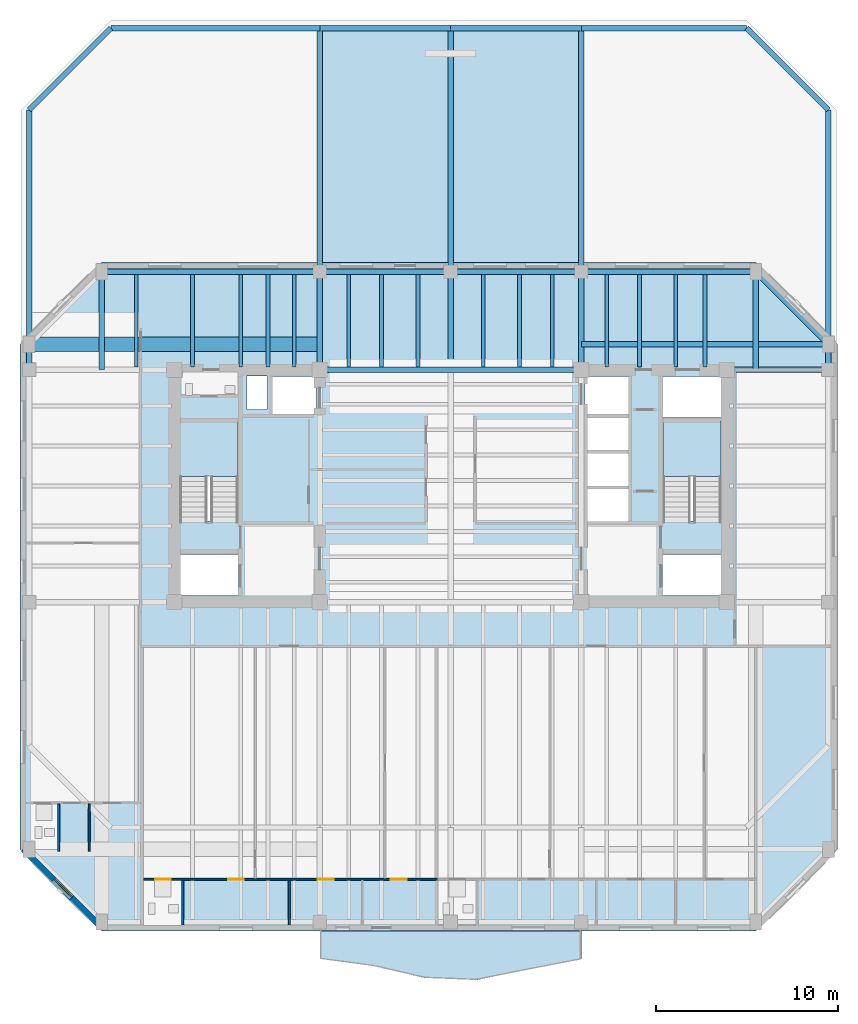
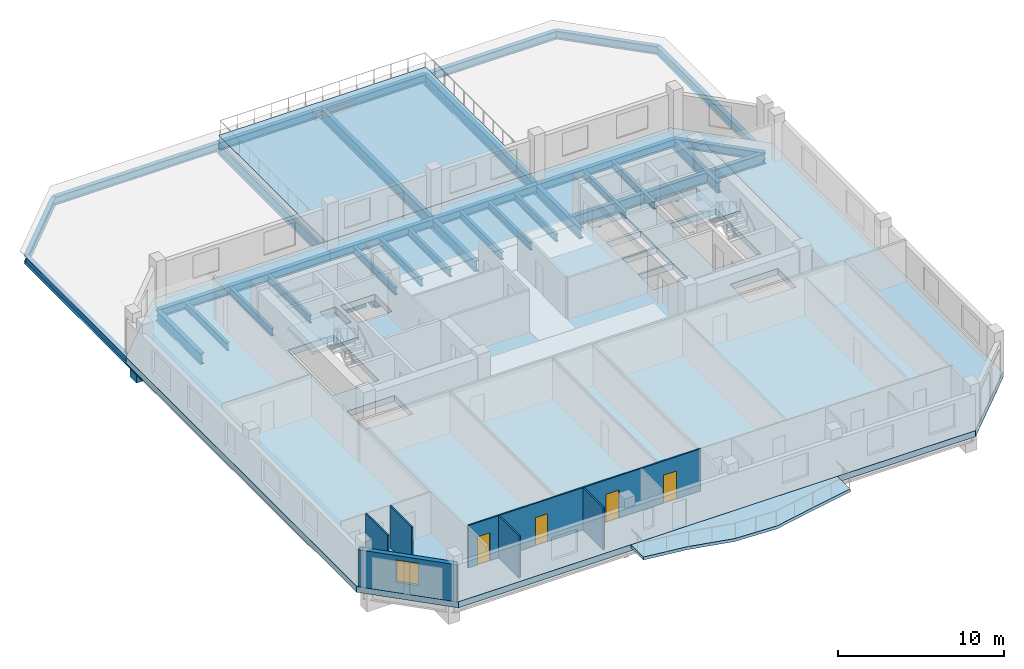
# One storey, part 2 of 11: 37 beams, 6 walls, 5 slabs, 4 doors, 1 window, 5 openings, 2 elements without a shape of their own.
"""IFC4 building model written with IfcOpenShell, lengths in metres."""

from ifc_helpers import new_model, si_unit, direction, frame, frame_2d, origin, origin_2d, place, context, subcontext, project, spatial, polyline, rectangle, i_section, outline, extrude, material, layer, layer_set, material_profile, profile_set, type_object, element, fill, aggregate, save


model = new_model("IFC4")

# Units and contexts
model_context = context("Model", 3, precision=1e-05, world=origin(), true_north=direction((0.0, 1.0)))
body_context = subcontext(model_context, "Body", "Model", "MODEL_VIEW")
ifc_project = project(units=[si_unit("LENGTHUNIT", "METRE"), si_unit("AREAUNIT", "SQUARE_METRE"), si_unit("VOLUMEUNIT", "CUBIC_METRE"), si_unit("PLANEANGLEUNIT", "RADIAN"), si_unit("MASSUNIT", "GRAM", prefix="KILO")], contexts=[model_context])

# Site, building, storey
site_placement = place(None, origin())
site = spatial("IfcSite", under=ifc_project, at=site_placement, CompositionType="ELEMENT")
building_placement = place(site_placement, origin())
building = spatial("IfcBuilding", under=site, at=building_placement, Name="Kranthara Brick Stack", CompositionType="ELEMENT")
storey_placement = place(building_placement, frame((0.0, 0.0, 207.5)))
storey = spatial("IfcBuildingStorey", under=building, at=storey_placement, Name="L53", CompositionType="ELEMENT", Elevation=207.5)

# Beams
ifc_material_1 = material(Name="Steel S355", Category="steel")
ifc_material_profile_1 = material_profile(ifc_material_1, i_section(OverallWidth=0.2099609375, OverallDepth=0.550048828125, WebThickness=0.010986328125, FlangeThickness=0.01708984375, at=origin_2d()), Name="IPE 550")
ifc_profile_set_1 = profile_set([ifc_material_profile_1], Name="Steel S355")
beam_type_1 = type_object("IfcBeamType", Name="BM-JST-IPE550", PredefinedType="JOIST", material=ifc_profile_set_1)
for number, where, z_axis, x_axis, name in (
    (1, (10.699951171875, 33.75, -0.72509765625), (0.0, 1.0, 0.0), (-1.0, 0.0, 0.0), "L53 North Wing Floor Joist 076"),
    (2, (13.800048828125, 33.75, -0.72509765625), (0.0, 1.0, 0.0), (-1.0, 0.0, 0.0), "L53 North Wing Floor Joist 078"),
    (3, (16.449951171875, 33.75, -0.72509765625), (0.0, 1.0, 0.0), (-1.0, 0.0, 0.0), "L53 North Wing Floor Joist 080"),
    (4, (17.949951171875, 33.75, -0.72509765625), (0.0, 1.0, 0.0), (-1.0, 0.0, 0.0), "L53 North Wing Floor Joist 082"),
    (5, (19.39990234375, 33.75, -0.72509765625), (0.0, 1.0, 0.0), (-1.0, 0.0, 0.0), "L53 North Wing Floor Joist 084"),
    (6, (22.39990234375, 33.75, -0.72509765625), (0.0, 1.0, 0.0), (-1.0, 0.0, 0.0), "L53 North Wing Floor Joist 086"),
    (7, (24.199951171875, 33.75, -0.72509765625), (0.0, 1.0, 0.0), (-1.0, 0.0, 0.0), "L53 North Wing Floor Joist 088"),
    (8, (26.199951171875, 33.75, -0.72509765625), (0.0, 1.0, 0.0), (-1.0, 0.0, 0.0), "L53 North Wing Floor Joist 090"),
    (9, (29.800048828125, 33.75, -0.72509765625), (0.0, 1.0, 0.0), (-1.0, 0.0, 0.0), "L53 North Wing Floor Joist 092"),
    (10, (31.800048828125, 33.75, -0.72509765625), (0.0, 1.0, 0.0), (-1.0, 0.0, 0.0), "L53 North Wing Floor Joist 094"),
    (11, (33.60009765625, 33.75, -0.72509765625), (0.0, 1.0, 0.0), (-1.0, 0.0, 0.0), "L53 North Wing Floor Joist 096"),
    (12, (36.60009765625, 33.75, -0.72509765625), (0.0, 1.0, 0.0), (-1.0, 0.0, 0.0), "L53 North Wing Floor Joist 098"),
    (13, (38.39990234375, 33.75, -0.72509765625), (0.0, 1.0, 0.0), (-1.0, 0.0, 0.0), "L53 North Wing Floor Joist 100"),
    (14, (40.39990234375, 33.75, -0.72509765625), (0.0, 1.0, 0.0), (-1.0, 0.0, 0.0), "L53 North Wing Floor Joist 102"),
    (15, (42.0, 33.75, -0.72509765625), (0.0, 1.0, 0.0), (-1.0, 0.0, 0.0), "L53 North Wing Floor Joist 104"),
):
    element("IfcBeam", number, at=place(storey_placement, frame(where, z_axis=z_axis, x_axis=x_axis)), inside=storey, type_object=beam_type_1, Name=name, PredefinedType="JOIST", context=body_context, shape_type="SweptSolid", body=[
        extrude(i_section(OverallWidth=0.2099609375, OverallDepth=0.550048828125, WebThickness=0.010986328125, FlangeThickness=0.01708984375, at=origin_2d()), origin(), (0.0, 0.0, 1.0), 5.10009765625),
    ])
ifc_material_2 = material(Name="Steel S355", Category="steel")
ifc_material_profile_2 = material_profile(ifc_material_2, i_section(OverallWidth=0.300048828125, OverallDepth=0.60009765625, WebThickness=0.015380859375, FlangeThickness=0.030029296875, at=origin_2d()), Name="HEB 600")
ifc_profile_set_2 = profile_set([ifc_material_profile_2], Name="Steel S355")
beam_type_2 = type_object("IfcBeamType", Name="BM-STL-HEB600", PredefinedType="BEAM", material=ifc_profile_set_2)
beam_1_placement = place(storey_placement, frame((9.300048828125, 52.39990234375, -0.75), z_axis=(1.0, 0.0, 0.0), x_axis=(0.0, 1.0, 0.0)))
element("IfcBeam", 16, at=beam_1_placement, inside=storey, type_object=beam_type_2, Name="L53 Perimeter Spandrel Beam 009", PredefinedType="BEAM", context=body_context, shape_type="SweptSolid", body=[
    extrude(i_section(OverallWidth=0.300048828125, OverallDepth=0.60009765625, WebThickness=0.015380859375, FlangeThickness=0.030029296875, at=origin_2d()), origin(), (0.0, 0.0, 1.0), 11.5),
])
for number, where, z_axis, x_axis, name in (
    (17, (20.800048828125, 52.39990234375, -0.75), (1.0, 0.0, 0.0), (0.0, 1.0, 0.0), "L53 Perimeter Spandrel Beam 010"),
    (18, (28.0, 52.39990234375, -0.75), (1.0, 0.0, 0.0), (0.0, 1.0, 0.0), "L53 Perimeter Spandrel Beam 011"),
):
    element("IfcBeam", number, at=place(storey_placement, frame(where, z_axis=z_axis, x_axis=x_axis)), inside=storey, type_object=beam_type_2, Name=name, PredefinedType="BEAM", context=body_context, shape_type="SweptSolid", body=[
        extrude(i_section(OverallWidth=0.300048828125, OverallDepth=0.60009765625, WebThickness=0.015380859375, FlangeThickness=0.030029296875, at=origin_2d()), origin(), (0.0, 0.0, 1.0), 7.199951171875),
    ])
beam_2_placement = place(storey_placement, frame((35.199951171875, 52.39990234375, -0.75), z_axis=(1.0, 0.0, 0.0), x_axis=(0.0, 1.0, 0.0)))
element("IfcBeam", 19, at=beam_2_placement, inside=storey, type_object=beam_type_2, Name="L53 Perimeter Spandrel Beam 012", PredefinedType="BEAM", context=body_context, shape_type="SweptSolid", body=[
    extrude(i_section(OverallWidth=0.300048828125, OverallDepth=0.60009765625, WebThickness=0.015380859375, FlangeThickness=0.030029296875, at=origin_2d()), origin(), (0.0, 0.0, 1.0), 9.10009765625),
])
for number, where, z_axis, x_axis, name in (
    (20, (4.800048828125, 33.60009765625, -0.75), (0.0, 1.0, 0.0), (-1.0, 0.0, 0.0), "L53 Perimeter Spandrel Beam 015"),
    (21, (48.800048828125, 33.60009765625, -0.75), (0.0, 1.0, 0.0), (-1.0, 0.0, 0.0), "L53 Perimeter Spandrel Beam 018"),
):
    element("IfcBeam", number, at=place(storey_placement, frame(where, z_axis=z_axis, x_axis=x_axis)), inside=storey, type_object=beam_type_2, Name=name, PredefinedType="BEAM", context=body_context, shape_type="SweptSolid", body=[
        extrude(i_section(OverallWidth=0.300048828125, OverallDepth=0.60009765625, WebThickness=0.015380859375, FlangeThickness=0.030029296875, at=origin_2d()), origin(), (0.0, 0.0, 1.0), 14.2998046875),
    ])
for number, where, z_axis, x_axis, name in (
    (22, (9.300048828125, 52.39990234375, -0.75), (-0.707106781187, -0.707106781187, 0.0), (0.707106781187, -0.707106781187, 0.0), "L53 Chamfer Corner Spandrel 021"),
    (23, (44.300048828125, 52.39990234375, -0.75), (0.707106781187, -0.707106781187, 0.0), (0.707106781187, 0.707106781187, 0.0), "L53 Chamfer Corner Spandrel 022"),
):
    element("IfcBeam", number, at=place(storey_placement, frame(where, z_axis=z_axis, x_axis=x_axis)), inside=storey, type_object=beam_type_2, Name=name, PredefinedType="BEAM", context=body_context, shape_type="SweptSolid", body=[
        extrude(i_section(OverallWidth=0.300048828125, OverallDepth=0.60009765625, WebThickness=0.015380859375, FlangeThickness=0.030029296875, at=origin_2d()), origin(), (0.0, 0.0, 1.0), 6.364013671875),
    ])
beam_3_placement = place(storey_placement, frame((8.800048828125, 39.0, -0.75), z_axis=(1.0, 0.0, 0.0), x_axis=(0.0, 1.0, 0.0)))
element("IfcBeam", 24, at=beam_3_placement, inside=storey, type_object=beam_type_2, Name="L53 Perimeter Spandrel Beam 027", PredefinedType="BEAM", context=body_context, shape_type="SweptSolid", body=[
    extrude(i_section(OverallWidth=0.300048828125, OverallDepth=0.60009765625, WebThickness=0.015380859375, FlangeThickness=0.030029296875, at=origin_2d()), origin(), (0.0, 0.0, 1.0), 12.0),
])
for number, where, z_axis, x_axis, name in (
    (25, (20.800048828125, 39.0, -0.75), (1.0, 0.0, 0.0), (0.0, 1.0, 0.0), "L53 Perimeter Spandrel Beam 028"),
    (26, (28.0, 39.0, -0.75), (1.0, 0.0, 0.0), (0.0, 1.0, 0.0), "L53 Perimeter Spandrel Beam 029"),
):
    element("IfcBeam", number, at=place(storey_placement, frame(where, z_axis=z_axis, x_axis=x_axis)), inside=storey, type_object=beam_type_2, Name=name, PredefinedType="BEAM", context=body_context, shape_type="SweptSolid", body=[
        extrude(i_section(OverallWidth=0.300048828125, OverallDepth=0.60009765625, WebThickness=0.015380859375, FlangeThickness=0.030029296875, at=origin_2d()), origin(), (0.0, 0.0, 1.0), 7.199951171875),
    ])
beam_4_placement = place(storey_placement, frame((35.199951171875, 39.0, -0.75), z_axis=(1.0, 0.0, 0.0), x_axis=(0.0, 1.0, 0.0)))
element("IfcBeam", 27, at=beam_4_placement, inside=storey, type_object=beam_type_2, Name="L53 Perimeter Spandrel Beam 030", PredefinedType="BEAM", context=body_context, shape_type="SweptSolid", body=[
    extrude(i_section(OverallWidth=0.300048828125, OverallDepth=0.60009765625, WebThickness=0.015380859375, FlangeThickness=0.030029296875, at=origin_2d()), origin(), (0.0, 0.0, 1.0), 9.60009765625),
])
beam_5_placement = place(storey_placement, frame((44.800048828125, 39.0, -0.75), z_axis=(0.707106781187, -0.707106781187, 0.0), x_axis=(0.707106781187, 0.707106781187, 0.0)))
element("IfcBeam", 28, at=beam_5_placement, inside=storey, type_object=beam_type_2, Name="L53 Chamfer Corner Spandrel 034", PredefinedType="BEAM", context=body_context, shape_type="SweptSolid", body=[
    extrude(i_section(OverallWidth=0.300048828125, OverallDepth=0.60009765625, WebThickness=0.015380859375, FlangeThickness=0.030029296875, at=origin_2d()), origin(), (0.0, 0.0, 1.0), 5.65673828125),
])
ifc_material_3 = material(Name="Steel S355", Category="steel")
ifc_material_profile_3 = material_profile(ifc_material_3, i_section(OverallWidth=0.300048828125, OverallDepth=0.800048828125, WebThickness=0.017578125, FlangeThickness=0.032958984375, at=origin_2d()), Name="HEB 800")
ifc_profile_set_3 = profile_set([ifc_material_profile_3], Name="Steel S355")
beam_type_3 = type_object("IfcBeamType", Name="BM-TR-HEB800", PredefinedType="BEAM", material=ifc_profile_set_3)
beam_6_placement = place(storey_placement, frame((20.800048828125, 33.60009765625, -0.85009765625), z_axis=(1.0, 0.0, 0.0), x_axis=(0.0, 1.0, 0.0)))
element("IfcBeam", 29, at=beam_6_placement, inside=storey, type_object=beam_type_3, Name="L53 Core Coupling Beam 002", PredefinedType="BEAM", context=body_context, shape_type="SweptSolid", body=[
    extrude(i_section(OverallWidth=0.300048828125, OverallDepth=0.800048828125, WebThickness=0.017578125, FlangeThickness=0.032958984375, at=origin_2d()), origin(), (0.0, 0.0, 1.0), 14.39990234375),
])
beam_7_placement = place(storey_placement, frame((20.800048828125, 33.60009765625, -0.85009765625), z_axis=(0.0, 1.0, 0.0), x_axis=(-1.0, 0.0, 0.0)))
element("IfcBeam", 30, at=beam_7_placement, inside=storey, type_object=beam_type_3, Name="L53 Primary Grid Girder 037", PredefinedType="BEAM", context=body_context, shape_type="SweptSolid", body=[
    extrude(i_section(OverallWidth=0.300048828125, OverallDepth=0.800048828125, WebThickness=0.017578125, FlangeThickness=0.032958984375, at=origin_2d()), origin(), (0.0, 0.0, 1.0), 18.7998046875),
])
beam_8_placement = place(storey_placement, frame((28.0, 33.75, -0.85009765625), z_axis=(0.0, 1.0, 0.0), x_axis=(-1.0, 0.0, 0.0)))
element("IfcBeam", 31, at=beam_8_placement, inside=storey, type_object=beam_type_3, Name="L53 Primary Grid Girder 041", PredefinedType="BEAM", context=body_context, shape_type="SweptSolid", body=[
    extrude(i_section(OverallWidth=0.300048828125, OverallDepth=0.800048828125, WebThickness=0.017578125, FlangeThickness=0.032958984375, at=origin_2d()), origin(), (0.0, 0.0, 1.0), 18.64990234375),
])
beam_9_placement = place(storey_placement, frame((35.199951171875, 33.60009765625, -0.85009765625), z_axis=(0.0, 1.0, 0.0), x_axis=(-1.0, 0.0, 0.0)))
element("IfcBeam", 32, at=beam_9_placement, inside=storey, type_object=beam_type_3, Name="L53 Primary Grid Girder 044", PredefinedType="BEAM", context=body_context, shape_type="SweptSolid", body=[
    extrude(i_section(OverallWidth=0.300048828125, OverallDepth=0.800048828125, WebThickness=0.017578125, FlangeThickness=0.032958984375, at=origin_2d()), origin(), (0.0, 0.0, 1.0), 18.7998046875),
])
beam_10_placement = place(storey_placement, frame((43.199951171875, 33.60009765625, -0.85009765625), z_axis=(1.0, 0.0, 0.0), x_axis=(0.0, 1.0, 0.0)))
element("IfcBeam", 33, at=beam_10_placement, inside=storey, type_object=beam_type_3, Name="L53 Primary Grid Girder 048", PredefinedType="BEAM", context=body_context, shape_type="SweptSolid", body=[
    extrude(i_section(OverallWidth=0.300048828125, OverallDepth=0.800048828125, WebThickness=0.017578125, FlangeThickness=0.032958984375, at=origin_2d()), origin(), (0.0, 0.0, 1.0), 5.60009765625),
])
for number, where, z_axis, x_axis, name in (
    (34, (8.800048828125, 39.0, -0.85009765625), (0.0, -1.0, 0.0), (1.0, 0.0, 0.0), "L53 Transfer Tie Girder 050"),
    (35, (44.800048828125, 39.0, -0.85009765625), (0.0, -1.0, 0.0), (1.0, 0.0, 0.0), "L53 Transfer Tie Girder 052"),
):
    element("IfcBeam", number, at=place(storey_placement, frame(where, z_axis=z_axis, x_axis=x_axis)), inside=storey, type_object=beam_type_3, Name=name, PredefinedType="BEAM", context=body_context, shape_type="SweptSolid", body=[
        extrude(i_section(OverallWidth=0.300048828125, OverallDepth=0.800048828125, WebThickness=0.017578125, FlangeThickness=0.032958984375, at=origin_2d()), origin(), (0.0, 0.0, 1.0), 5.39990234375),
    ])
beam_11_placement = place(storey_placement, frame((48.800048828125, 35.0, -0.85009765625), z_axis=(-1.0, 0.0, 0.0), x_axis=(0.0, -1.0, 0.0)))
element("IfcBeam", 36, at=beam_11_placement, inside=storey, type_object=beam_type_3, Name="L53 Transfer Tie Girder 056", PredefinedType="BEAM", context=body_context, shape_type="SweptSolid", body=[
    extrude(i_section(OverallWidth=0.300048828125, OverallDepth=0.800048828125, WebThickness=0.017578125, FlangeThickness=0.032958984375, at=origin_2d()), origin(), (0.0, 0.0, 1.0), 13.60009765625),
])
ifc_material_4 = material(Name="Post-tensioned concrete C50/60", Category="concrete")
ifc_material_profile_4 = material_profile(ifc_material_4, rectangle(XDim=0.800048828125, YDim=1.39990234375, at=origin_2d()), Name="PT 800x1400")
ifc_profile_set_4 = profile_set([ifc_material_profile_4], Name="Post-tensioned concrete C50/60")
beam_type_4 = type_object("IfcBeamType", Name="BM-TR-PT1400", PredefinedType="T_BEAM", material=ifc_profile_set_4)
beam_12_placement = place(storey_placement, frame((4.800048828125, 35.0, -1.14990234375), z_axis=(1.0, 0.0, 0.0), x_axis=(0.0, 1.0, 0.0)))
element("IfcBeam", 37, at=beam_12_placement, inside=storey, type_object=beam_type_4, Name="L53 Transfer Tie Girder 055", PredefinedType="T_BEAM", context=body_context, shape_type="SweptSolid", body=[
    extrude(rectangle(XDim=0.800048828125, YDim=1.39990234375, at=origin_2d()), origin(), (0.0, 0.0, 1.0), 16.0),
])

# Slab
ifc_material_5 = material(Name="Concrete C45/55", Category="concrete")
ifc_layer_1 = layer(ifc_material_5, 0.219970703125)
ifc_layer_set_1 = layer_set([ifc_layer_1], Name="Concrete C45/55")
slab_type_1 = type_object("IfcSlabType", Name="SLB-BALC-220", PredefinedType="FLOOR", material=ifc_layer_set_1)
slab_1_placement = place(storey_placement, frame((0.0, 0.0, -0.219970703125)))
element("IfcSlab", 38, at=slab_1_placement, inside=storey, type_object=slab_type_1, Name="L53 South Rippling Balcony Slab", PredefinedType="FLOOR", context=body_context, shape_type="SweptSolid", body=[
    extrude(outline(polyline([(20.800048828125, 2.699951171875), (35.199951171875, 2.699951171875), (35.199951171875, 1.166015625), (32.320068359375, 0.60595703125), (29.43994140625, 0.0068359375), (26.56005859375, 0.122314453125), (23.679931640625, 0.806884765625), (20.800048828125, 1.199951171875), (20.800048828125, 2.699951171875)])), origin(), (0.0, 0.0, 1.0), 0.219970703125),
])

# Stair, slab
ifc_material_6 = material(Name="Concrete C45/55", Category="concrete")
stair_type = type_object("IfcStairType", Name="ST-CORE-20R", PredefinedType="HALF_TURN_STAIR", material=ifc_material_6)
stair_1_placement = place(storey_placement, origin())
stair_1 = element("IfcStair", 39, at=stair_1_placement, inside=storey, type_object=stair_type, Name="L53 West Core Protected Exit Stair ST01", PredefinedType="HALF_TURN_STAIR")
ifc_material_7 = material(Name="Concrete C45/55", Category="concrete")
ifc_layer_2 = layer(ifc_material_7, 0.199951171875)
ifc_layer_set_2 = layer_set([ifc_layer_2], Name="Concrete C45/55")
slab_type_2 = type_object("IfcSlabType", Name="SLB-LANDING-200", PredefinedType="LANDING", material=ifc_layer_set_2)
slab_2_placement = place(storey_placement, frame((0.0, 0.0, 1.5)))
slab_2 = element("IfcSlab", 40, at=slab_2_placement, type_object=slab_type_2, Name="ST01 landing 1", PredefinedType="LANDING", context=body_context, shape_type="SweptSolid", body=[
    extrude(outline(polyline([(16.300048828125, 27.719970703125), (16.300048828125, 30.75), (13.10009765625, 30.75), (13.10009765625, 27.719970703125), (16.300048828125, 27.719970703125)])), origin(), (0.0, 0.0, 1.0), 0.199951171875),
])
aggregate(stair_1, [slab_2])

stair_2_placement = place(storey_placement, origin())
stair_2 = element("IfcStair", 41, at=stair_2_placement, inside=storey, type_object=stair_type, Name="L53 East Core Protected Exit Stair ST02", PredefinedType="HALF_TURN_STAIR")
slab_3_placement = place(storey_placement, frame((0.0, 0.0, 1.5)))
slab_3 = element("IfcSlab", 42, at=slab_3_placement, type_object=slab_type_2, Name="ST02 landing 1", PredefinedType="LANDING", context=body_context, shape_type="SweptSolid", body=[
    extrude(outline(polyline([(42.89990234375, 27.719970703125), (42.89990234375, 30.75), (39.699951171875, 30.75), (39.699951171875, 27.719970703125), (42.89990234375, 27.719970703125)])), origin(), (0.0, 0.0, 1.0), 0.199951171875),
])
aggregate(stair_2, [slab_3])

# Slabs
ifc_material_8 = material(Name="Concrete C45/55", Category="concrete")
ifc_layer_3 = layer(ifc_material_8, 0.449951171875)
ifc_layer_set_3 = layer_set([ifc_layer_3], Name="Concrete C45/55")
slab_type_3 = type_object("IfcSlabType", Name="SLB-TERR-450", PredefinedType="ROOF", material=ifc_layer_set_3)
slab_4_placement = place(storey_placement, frame((0.0, 0.0, -0.449951171875)))
element("IfcSlab", 43, at=slab_4_placement, inside=storey, type_object=slab_type_3, Name="L53 North Planted Sky Garden", PredefinedType="ROOF", context=body_context, shape_type="SweptSolid", body=[
    extrude(outline(polyline([(20.800048828125, 39.5), (35.199951171875, 39.5), (35.199951171875, 52.39990234375), (20.800048828125, 52.39990234375), (20.800048828125, 39.5)])), origin(), (0.0, 0.0, 1.0), 0.449951171875),
])
ifc_material_9 = material(Name="Post-tensioned concrete C50/60", Category="concrete")
ifc_layer_4 = layer(ifc_material_9, 0.449951171875)
ifc_layer_set_4 = layer_set([ifc_layer_4], Name="Post-tensioned concrete C50/60")
slab_type_4 = type_object("IfcSlabType", Name="SLB-TRANS-450", PredefinedType="FLOOR", material=ifc_layer_set_4)
slab_5_placement = place(storey_placement, frame((0.0, 0.0, -0.449951171875)))
element("IfcSlab", 44, at=slab_5_placement, inside=storey, type_object=slab_type_4, Name="L53 Structural Floor Plate", PredefinedType="FLOOR", context=body_context, shape_type="SweptSolid", body=[
    extrude(outline(polyline([(8.800048828125, 2.699951171875), (44.800048828125, 2.699951171875), (49.300048828125, 7.199951171875), (49.300048828125, 35.0), (44.800048828125, 39.5), (8.800048828125, 39.5), (4.300048828125, 35.0), (4.300048828125, 7.199951171875), (8.800048828125, 2.699951171875)]), holes=[polyline([(13.10009765625, 25.280029296875), (16.300048828125, 25.280029296875), (16.300048828125, 30.75), (13.10009765625, 30.75), (13.10009765625, 25.280029296875)]), polyline([(39.699951171875, 25.280029296875), (42.89990234375, 25.280029296875), (42.89990234375, 30.75), (39.699951171875, 30.75), (39.699951171875, 25.280029296875)]), polyline([(13.0, 21.179931640625), (16.320068359375, 21.179931640625), (16.320068359375, 23.419921875), (13.0, 23.419921875), (13.0, 21.179931640625)]), polyline([(39.679931640625, 21.179931640625), (43.0, 21.179931640625), (43.0, 23.419921875), (39.679931640625, 23.419921875), (39.679931640625, 21.179931640625)]), polyline([(39.679931640625, 30.97998046875), (43.0, 30.97998046875), (43.0, 33.219970703125), (39.679931640625, 33.219970703125), (39.679931640625, 30.97998046875)]), polyline([(35.39990234375, 25.25), (37.800048828125, 25.25), (37.800048828125, 27.050048828125), (35.39990234375, 27.050048828125), (35.39990234375, 25.25)]), polyline([(35.39990234375, 27.199951171875), (37.800048828125, 27.199951171875), (37.800048828125, 29.0), (35.39990234375, 29.0), (35.39990234375, 27.199951171875)]), polyline([(35.39990234375, 29.14990234375), (37.800048828125, 29.14990234375), (37.800048828125, 30.949951171875), (35.39990234375, 30.949951171875), (35.39990234375, 29.14990234375)]), polyline([(18.199951171875, 31.14990234375), (20.60009765625, 31.14990234375), (20.60009765625, 33.219970703125), (18.199951171875, 33.219970703125), (18.199951171875, 31.14990234375)]), polyline([(35.39990234375, 31.14990234375), (37.800048828125, 31.14990234375), (37.800048828125, 33.219970703125), (35.39990234375, 33.219970703125), (35.39990234375, 31.14990234375)]), polyline([(16.800048828125, 31.39990234375), (17.89990234375, 31.39990234375), (17.89990234375, 33.25), (16.800048828125, 33.25), (16.800048828125, 31.39990234375)])]), origin(), (0.0, 0.0, 1.0), 0.449951171875),
])

# Wall, opening, window
ifc_material_10 = material(Name="Warm buff clay brick masonry M15", Category="masonry")
ifc_layer_5 = layer(ifc_material_10, 0.320068359375)
ifc_layer_set_5 = layer_set([ifc_layer_5], Name="Warm buff clay brick masonry M15")
wall_type_1 = type_object("IfcWallType", Name="WL-BRK-UPPR-320", PredefinedType="STANDARD", material=ifc_layer_set_5)
wall_1_placement = place(storey_placement, frame((8.800048828125, 2.8798828125, 0.0), z_axis=(0.0, 0.0, 1.0), x_axis=(-0.707106781187, 0.707106781187, 0.0)))
wall_1 = element("IfcWall", 45, at=wall_1_placement, inside=storey, type_object=wall_type_1, Name="L53 Exterior Brick Facade Wall SW 1", PredefinedType="STANDARD", context=body_context, shape_type="SweptSolid", body=[
    extrude(rectangle(XDim=6.109619140625, YDim=0.320068359375, at=frame_2d((3.0546875, 0.0))), origin(), (0.0, 0.0, 1.0), 2.72509765625),
])
opening_1_placement = place(wall_1_placement, frame((2.35498046875, 0.0, 0.75)))
opening_1 = element("IfcOpeningElement", 46, at=opening_1_placement, cuts=wall_1, Name="Opening WN10", PredefinedType="OPENING", context=body_context, shape_type="SweptSolid", body=[
    extrude(rectangle(XDim=1.39990234375, YDim=1.64990234375, at=frame_2d((0.699951171875, 0.824951171875))), frame((0.0, 0.169921875, 0.0), z_axis=(0.0, -1.0, 0.0), x_axis=(1.0, 0.0, 0.0)), (0.0, 0.0, 1.0), 0.340087890625),
])
ifc_material_11 = material(Name="Double-glazed low-E solar control glass", Category="glass")
window_type = type_object("IfcWindowType", Name="WN-CHM-1400x1750", PartitioningType="SINGLE_PANEL", PredefinedType="WINDOW", material=ifc_material_11)
window_placement = place(opening_1_placement, origin())
window = element("IfcWindow", 47, at=window_placement, inside=storey, type_object=window_type, Name="L53 SW Chamfer Corner Window", OverallHeight=1.64990234375, OverallWidth=1.39990234375, PartitioningType="SINGLE_PANEL", PredefinedType="WINDOW", context=body_context, shape_type="SweptSolid", body=[
    extrude(rectangle(XDim=1.39990234375, YDim=1.64990234375, at=frame_2d((0.699951171875, 0.824951171875))), frame((0.0, -0.010009765625, 0.0), z_axis=(0.0, -1.0, 0.0), x_axis=(1.0, 0.0, 0.0)), (0.0, 0.0, 1.0), 0.06005859375),
])
fill(opening_1, window)

# Wall, openings, doors
ifc_material_12 = material(Name="Moisture-resistant wet-room partition", Category="other")
ifc_layer_6 = layer(ifc_material_12, 0.10009765625)
ifc_layer_set_6 = layer_set([ifc_layer_6], Name="Moisture-resistant wet-room partition")
wall_type_2 = type_object("IfcWallType", Name="WL-PART-100", PredefinedType="PARTITIONING", material=ifc_layer_set_6)
wall_2_placement = place(storey_placement, frame((11.10009765625, 5.550048828125, 0.0), z_axis=(0.0, 0.0, 1.0), x_axis=(1.0, 0.0, 0.0)))
wall_2 = element("IfcWall", 48, at=wall_2_placement, inside=storey, type_object=wall_type_2, Name="L53 Interior Partition 012", PredefinedType="PARTITIONING", context=body_context, shape_type="SweptSolid", body=[
    extrude(rectangle(XDim=16.173828125, YDim=0.10009765625, at=frame_2d((8.0869140625, 0.0))), origin(), (0.0, 0.0, 1.0), 3.10009765625),
])
opening_2_placement = place(wall_2_placement, frame((0.64990234375, 0.0, 0.0)))
opening_2 = element("IfcOpeningElement", 49, at=opening_2_placement, cuts=wall_2, Name="Opening D17", PredefinedType="OPENING", context=body_context, shape_type="SweptSolid", body=[
    extrude(rectangle(XDim=0.85009765625, YDim=2.050048828125, at=frame_2d((0.425048828125, 1.02490234375))), frame((0.0, 0.06005859375, 0.0), z_axis=(0.0, -1.0, 0.0), x_axis=(1.0, 0.0, 0.0)), (0.0, 0.0, 1.0), 0.1201171875),
])
opening_3_placement = place(wall_2_placement, frame((4.6640625, 0.0, 0.0)))
opening_3 = element("IfcOpeningElement", 50, at=opening_3_placement, cuts=wall_2, Name="Opening D16", PredefinedType="OPENING", context=body_context, shape_type="SweptSolid", body=[
    extrude(rectangle(XDim=0.85009765625, YDim=2.050048828125, at=frame_2d((0.425048828125, 1.02490234375))), frame((0.0, 0.06005859375, 0.0), z_axis=(0.0, -1.0, 0.0), x_axis=(1.0, 0.0, 0.0)), (0.0, 0.0, 1.0), 0.1201171875),
])
opening_4_placement = place(wall_2_placement, frame((9.583984375, 0.0, 0.0)))
opening_4 = element("IfcOpeningElement", 51, at=opening_4_placement, cuts=wall_2, Name="Opening D15", PredefinedType="OPENING", context=body_context, shape_type="SweptSolid", body=[
    extrude(rectangle(XDim=0.89990234375, YDim=2.050048828125, at=frame_2d((0.449951171875, 1.02490234375))), frame((0.0, 0.06005859375, 0.0), z_axis=(0.0, -1.0, 0.0), x_axis=(1.0, 0.0, 0.0)), (0.0, 0.0, 1.0), 0.1201171875),
])
opening_5_placement = place(wall_2_placement, frame((13.597900390625, 0.0, 0.0)))
opening_5 = element("IfcOpeningElement", 52, at=opening_5_placement, cuts=wall_2, Name="Opening D15", PredefinedType="OPENING", context=body_context, shape_type="SweptSolid", body=[
    extrude(rectangle(XDim=0.89990234375, YDim=2.050048828125, at=frame_2d((0.449951171875, 1.02490234375))), frame((0.0, 0.06005859375, 0.0), z_axis=(0.0, -1.0, 0.0), x_axis=(1.0, 0.0, 0.0)), (0.0, 0.0, 1.0), 0.1201171875),
])
ifc_material_13 = material(Name="Solid-core hardwood timber leaf in steel frame", Category="steel")
door_type_1 = type_object("IfcDoorType", Name="DR-INT-850", OperationType="NOTDEFINED", PredefinedType="DOOR", material=ifc_material_13)
door_1_placement = place(opening_3_placement, origin())
door_1 = element("IfcDoor", 53, at=door_1_placement, inside=storey, type_object=door_type_1, Name="L53 Unit L53A Kitchen 12", OperationType="SINGLE_SWING_RIGHT", OverallHeight=2.050048828125, OverallWidth=0.85009765625, PredefinedType="DOOR", context=body_context, shape_type="SweptSolid", body=[
    extrude(rectangle(XDim=0.85009765625, YDim=2.050048828125, at=frame_2d((0.425048828125, 1.02490234375))), frame((0.0, 0.02490234375, 0.0), z_axis=(0.0, -1.0, 0.0), x_axis=(1.0, 0.0, 0.0)), (0.0, 0.0, 1.0), 0.050048828125),
])
fill(opening_3, door_1)
ifc_material_14 = material(Name="Solid-core hardwood timber leaf in steel frame", Category="steel")
door_type_2 = type_object("IfcDoorType", Name="DR-INT-900", OperationType="NOTDEFINED", PredefinedType="DOOR", material=ifc_material_14)
door_2_placement = place(opening_4_placement, origin())
door_2 = element("IfcDoor", 54, at=door_2_placement, inside=storey, type_object=door_type_2, Name="L53 Unit L53A Master Bedroom 13", OperationType="SINGLE_SWING_LEFT", OverallHeight=2.050048828125, OverallWidth=0.89990234375, PredefinedType="DOOR", context=body_context, shape_type="SweptSolid", body=[
    extrude(rectangle(XDim=0.89990234375, YDim=2.050048828125, at=frame_2d((0.449951171875, 1.02490234375))), frame((0.0, 0.02490234375, 0.0), z_axis=(0.0, -1.0, 0.0), x_axis=(1.0, 0.0, 0.0)), (0.0, 0.0, 1.0), 0.050048828125),
])
fill(opening_4, door_2)
door_3_placement = place(opening_5_placement, origin())
door_3 = element("IfcDoor", 55, at=door_3_placement, inside=storey, type_object=door_type_2, Name="L53 Unit L53A Bedroom 2 14", OperationType="SINGLE_SWING_RIGHT", OverallHeight=2.050048828125, OverallWidth=0.89990234375, PredefinedType="DOOR", context=body_context, shape_type="SweptSolid", body=[
    extrude(rectangle(XDim=0.89990234375, YDim=2.050048828125, at=frame_2d((0.449951171875, 1.02490234375))), frame((0.0, 0.02490234375, 0.0), z_axis=(0.0, -1.0, 0.0), x_axis=(1.0, 0.0, 0.0)), (0.0, 0.0, 1.0), 0.050048828125),
])
fill(opening_5, door_3)
ifc_material_15 = material(Name="Solid-core hardwood timber leaf in steel frame", Category="steel")
door_type_3 = type_object("IfcDoorType", Name="DR-WET-850", OperationType="NOTDEFINED", PredefinedType="DOOR", material=ifc_material_15)
door_4_placement = place(opening_2_placement, origin())
door_4 = element("IfcDoor", 56, at=door_4_placement, inside=storey, type_object=door_type_3, Name="L53 Unit L53A Bathroom 11", OperationType="SINGLE_SWING_LEFT", OverallHeight=2.050048828125, OverallWidth=0.85009765625, PredefinedType="DOOR", context=body_context, shape_type="SweptSolid", body=[
    extrude(rectangle(XDim=0.85009765625, YDim=2.050048828125, at=frame_2d((0.425048828125, 1.02490234375))), frame((0.0, 0.02490234375, 0.0), z_axis=(0.0, -1.0, 0.0), x_axis=(1.0, 0.0, 0.0)), (0.0, 0.0, 1.0), 0.050048828125),
])
fill(opening_2, door_4)

# Walls
for number, where, z_axis, x_axis, name in (
    (57, (13.25, 3.044921875, 0.0), (0.0, 0.0, 1.0), (0.0, 1.0, 0.0), "L53 Interior Partition 015"),
    (58, (19.126953125, 3.044921875, 0.0), (0.0, 0.0, 1.0), (0.0, 1.0, 0.0), "L53 Interior Partition 016"),
):
    element("IfcWall", number, at=place(storey_placement, frame(where, z_axis=z_axis, x_axis=x_axis)), inside=storey, type_object=wall_type_2, Name=name, PredefinedType="PARTITIONING", context=body_context, shape_type="SweptSolid", body=[
        extrude(rectangle(XDim=2.4501953125, YDim=0.10009765625, at=frame_2d((1.22509765625, 0.0))), origin(), (0.0, 0.0, 1.0), 3.10009765625),
    ])
for number, where, z_axis, x_axis, name in (
    (59, (6.425048828125, 7.080078125, 0.0), (0.0, 0.0, 1.0), (0.0, 1.0, 0.0), "L53 Interior Partition 033"),
    (60, (8.110107421875, 7.080078125, 0.0), (0.0, 0.0, 1.0), (0.0, 1.0, 0.0), "L53 Interior Partition 034"),
):
    element("IfcWall", number, at=place(storey_placement, frame(where, z_axis=z_axis, x_axis=x_axis)), inside=storey, type_object=wall_type_2, Name=name, PredefinedType="PARTITIONING", context=body_context, shape_type="SweptSolid", body=[
        extrude(rectangle(XDim=2.614990234375, YDim=0.10009765625, at=frame_2d((1.3076171875, 0.0))), origin(), (0.0, 0.0, 1.0), 3.10009765625),
    ])

save(model, "model.ifc")
